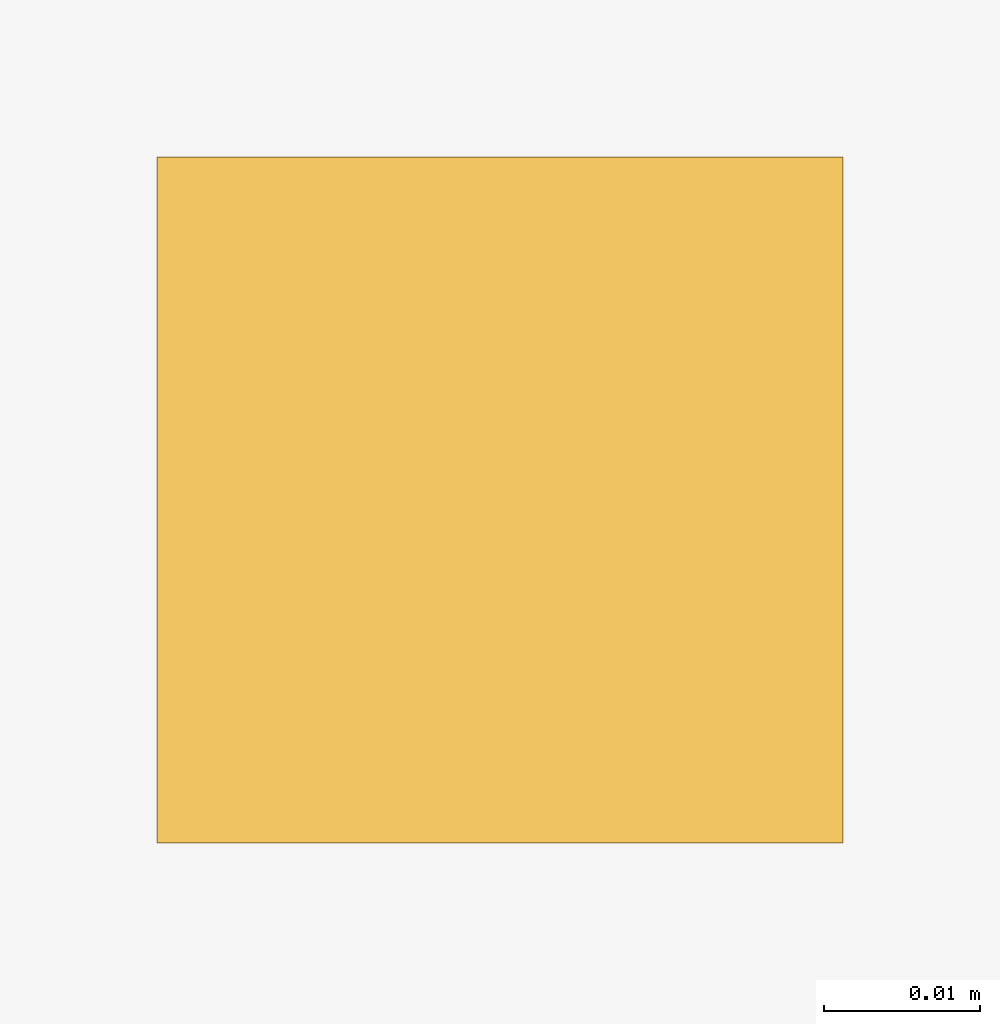
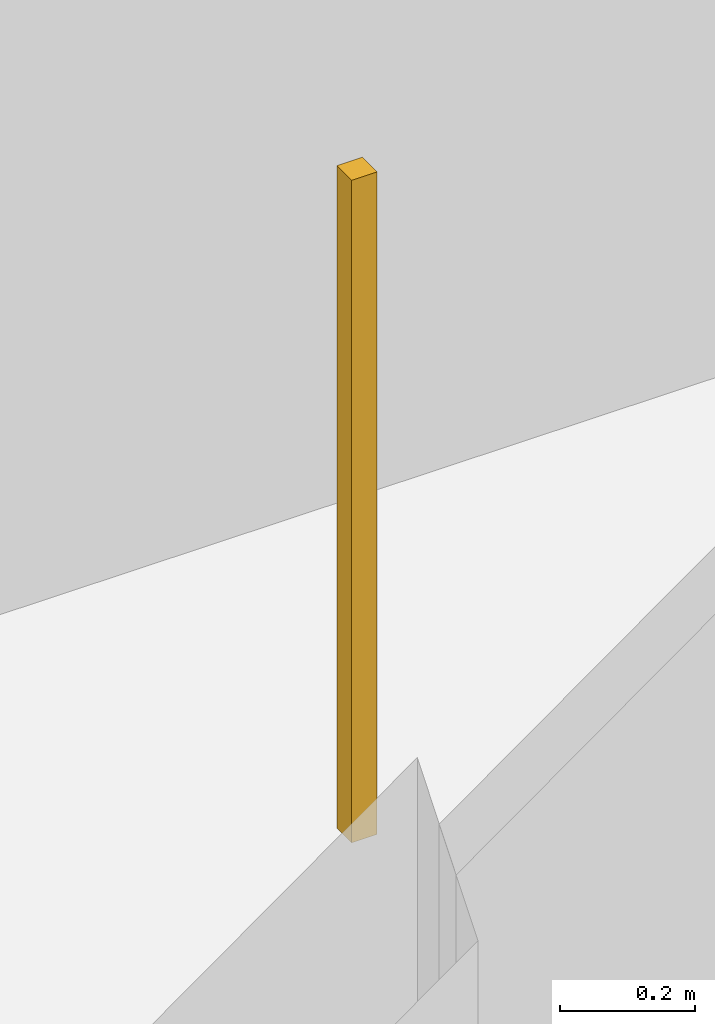
# One storey, part 8 of 10: 1 railing.
"""IFC4 building model written with IfcOpenShell, lengths in metres."""

from ifc_helpers import new_model, si_unit, direction, frame, origin, origin_2d, place, context, subcontext, project, spatial, rectangle, extrude, material, type_object, element, save


model = new_model("IFC4")

# Units and contexts
model_context = context("Model", 3, precision=1e-05, world=origin(), true_north=direction((0.0, 1.0)))
body_context = subcontext(model_context, "Body", "Model", "MODEL_VIEW")
ifc_project = project(units=[si_unit("LENGTHUNIT", "METRE"), si_unit("AREAUNIT", "SQUARE_METRE"), si_unit("VOLUMEUNIT", "CUBIC_METRE"), si_unit("PLANEANGLEUNIT", "RADIAN"), si_unit("MASSUNIT", "GRAM", prefix="KILO")], contexts=[model_context])

# Site, building, storey
site_placement = place(None, origin())
site = spatial("IfcSite", under=ifc_project, at=site_placement, CompositionType="ELEMENT")
building_placement = place(site_placement, origin())
building = spatial("IfcBuilding", under=site, at=building_placement, Name="Yunling Apex Tower", CompositionType="ELEMENT")
storey_placement = place(building_placement, frame((0.0, 0.0, 310.550048828125)))
storey = spatial("IfcBuildingStorey", under=building, at=storey_placement, Name="L76", CompositionType="ELEMENT", Elevation=310.550048828125)

# Railing
ifc_material = material(Name="Bronze anodised aluminium", Category="aluminium")
railing_type = type_object("IfcRailingType", Name="RL-BAL-1200", PredefinedType="BALUSTRADE", material=ifc_material)
railing_placement = place(storey_placement, origin())
element("IfcRailing", 1, at=railing_placement, inside=storey, type_object=railing_type, Name="RL-TATR-L76", PredefinedType="BALUSTRADE", context=body_context, shape_type="SweptSolid", body=[
    extrude(rectangle(XDim=0.0439453125, YDim=0.0439453125, at=origin_2d()), origin(), (0.0, 0.0, 1.0), 1.199951171875),
])

save(model, "model.ifc")
